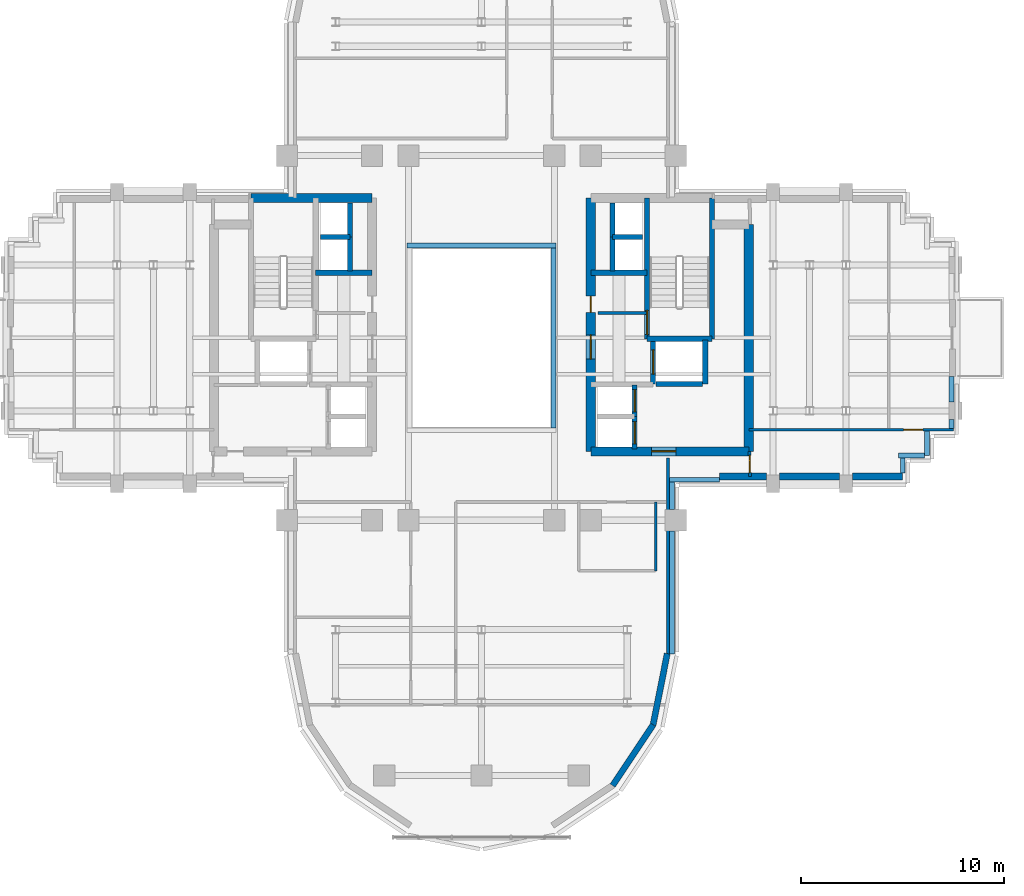
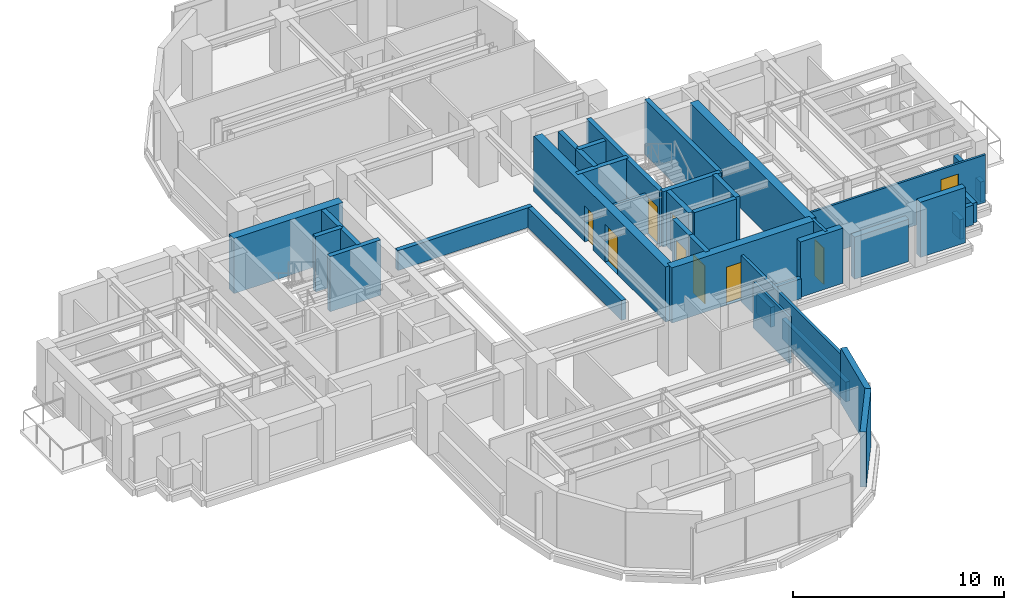
# One storey, part 8 of 13: 40 walls, 9 doors, 9 openings.
"""IFC4 building model written with IfcOpenShell, lengths in metres."""

from ifc_helpers import new_model, si_unit, direction, frame, frame_2d, origin, place, context, subcontext, project, spatial, rectangle, extrude, source, transform, mapped, material, layer, layer_set, type_object, element, fill, save


model = new_model("IFC4")

# Units and contexts
model_context = context("Model", 3, precision=1e-05, world=origin(), true_north=direction((0.0, 1.0)))
body_context = subcontext(model_context, "Body", "Model", "MODEL_VIEW")
ifc_project = project(units=[si_unit("LENGTHUNIT", "METRE"), si_unit("AREAUNIT", "SQUARE_METRE"), si_unit("VOLUMEUNIT", "CUBIC_METRE"), si_unit("PLANEANGLEUNIT", "RADIAN"), si_unit("MASSUNIT", "GRAM", prefix="KILO")], contexts=[model_context])

# Site, building, storey
site_placement = place(None, origin())
site = spatial("IfcSite", under=ifc_project, at=site_placement, CompositionType="ELEMENT")
building_placement = place(site_placement, origin())
building = spatial("IfcBuilding", under=site, at=building_placement, Name="Keilestroom Media Tower", CompositionType="ELEMENT")
storey_placement = place(building_placement, frame((0.0, 0.0, 107.39990234375)))
storey = spatial("IfcBuildingStorey", under=building, at=storey_placement, Name="L28", CompositionType="ELEMENT", Elevation=107.39990234375)

# Walls
ifc_material_1 = material(Name="Precast concrete C40/50", Category="concrete")
ifc_layer_1 = layer(ifc_material_1, 0.300048828125)
ifc_layer_set_1 = layer_set([ifc_layer_1], Name="Precast concrete C40/50")
wall_type_1 = type_object("IfcWallType", Name="Exterior-Masonry-Spandrel-Wall-300", PredefinedType="SOLIDWALL", material=ifc_layer_set_1)
for number, where, z_axis, x_axis, name in (
    (1, (6.47705078125, -22.097900390625, 0.0), (0.0, 0.0, 1.0), (0.555574187116, 0.831466970246, 0.0), "L28 Lobe Facet Precast Frame Wall 11"),
    (2, (8.470703125, -19.12451171875, 0.0), (0.0, 0.0, 1.0), (0.195114232679, 0.980780523974, 0.0), "L28 Lobe Facet Precast Frame Wall 12"),
):
    element("IfcWall", number, at=place(storey_placement, frame(where, z_axis=z_axis, x_axis=x_axis)), inside=storey, type_object=wall_type_1, Name=name, PredefinedType="SOLIDWALL", context=body_context, shape_type="SweptSolid", body=[
        extrude(rectangle(XDim=3.608642578125, YDim=0.300048828125, at=frame_2d((1.80419921875, 0.0))), origin(), (0.0, 0.0, 1.0), 3.2001953125),
    ])
ifc_layer_2 = layer(ifc_material_1, 0.340087890625)
ifc_layer_set_2 = layer_set([ifc_layer_2], Name="Precast concrete C40/50")
wall_type_2 = type_object("IfcWallType", Name="Exterior-Masonry-Spandrel-Wall-340", PredefinedType="SOLIDWALL", material=ifc_layer_set_2)
wall_1_placement = place(storey_placement, frame((11.75, -6.85009765625, 0.0), z_axis=(0.0, 0.0, 1.0), x_axis=(1.0, 0.0, 0.0)))
element("IfcWall", 3, at=wall_1_placement, inside=storey, type_object=wall_type_2, Name="L28 Flank Masonry Wall EWL-L28-SE-1", PredefinedType="SOLIDWALL", context=body_context, shape_type="SweptSolid", body=[
    extrude(rectangle(XDim=2.3330078125, YDim=0.340087890625, at=frame_2d((1.16650390625, 0.0))), origin(), (0.0, 0.0, 1.0), 3.2001953125),
])
wall_2_placement = place(storey_placement, frame((14.717041015625, -6.85009765625, 0.0), z_axis=(0.0, 0.0, 1.0), x_axis=(1.0, 0.0, 0.0)))
element("IfcWall", 4, at=wall_2_placement, inside=storey, type_object=wall_type_2, Name="L28 Flank Masonry Wall EWL-L28-SE-2", PredefinedType="SOLIDWALL", context=body_context, shape_type="SweptSolid", body=[
    extrude(rectangle(XDim=2.966064453125, YDim=0.340087890625, at=frame_2d((1.48291015625, 0.0))), origin(), (0.0, 0.0, 1.0), 2.4501953125),
])
wall_3_placement = place(storey_placement, frame((18.31689453125, -6.85009765625, 0.0), z_axis=(0.0, 0.0, 1.0), x_axis=(1.0, 0.0, 0.0)))
element("IfcWall", 5, at=wall_3_placement, inside=storey, type_object=wall_type_2, Name="L28 Flank Masonry Wall EWL-L28-SE-3", PredefinedType="SOLIDWALL", context=body_context, shape_type="SweptSolid", body=[
    extrude(rectangle(XDim=2.483154296875, YDim=0.340087890625, at=frame_2d((1.24169921875, 0.0))), origin(), (0.0, 0.0, 1.0), 3.2001953125),
])
ifc_material_2 = material(Name="Gypsum Plasterboard & Steel Stud", Category="steel")
ifc_layer_3 = layer(ifc_material_2, 0.1201171875)
ifc_layer_set_3 = layer_set([ifc_layer_3], Name="Gypsum Plasterboard & Steel Stud")
wall_type_3 = type_object("IfcWallType", Name="Interior-Partition-Wall-120", PredefinedType="PARTITIONING", material=ifc_layer_set_3)
wall_4_placement = place(storey_placement, frame((8.60009765625, -11.5, 0.0), z_axis=(0.0, 0.0, 1.0), x_axis=(0.0, 1.0, 0.0)))
element("IfcWall", 6, at=wall_4_placement, inside=storey, type_object=wall_type_3, Name="L28 Interior Wall WP-L28-SL-WC-E", PredefinedType="PARTITIONING", context=body_context, shape_type="SweptSolid", body=[
    extrude(rectangle(XDim=3.39990234375, YDim=0.1201171875, at=frame_2d((1.699951171875, 0.0))), origin(), (0.0, 0.0, 1.0), 2.7001953125),
])

# Wall, opening, door
wall_5_placement = place(storey_placement, frame((13.199951171875, -4.530029296875, 0.0), z_axis=(0.0, 0.0, 1.0), x_axis=(1.0, 0.0, 0.0)))
wall_5 = element("IfcWall", 7, at=wall_5_placement, inside=storey, type_object=wall_type_3, Name="L28 Interior Wall WP-L28-EA-CN", PredefinedType="PARTITIONING", context=body_context, shape_type="SweptSolid", body=[
    extrude(rectangle(XDim=10.10009765625, YDim=0.1201171875, at=frame_2d((5.050048828125, 0.0))), origin(), (0.0, 0.0, 1.0), 2.75),
])
opening_1_placement = place(wall_5_placement, frame((7.64990234375, 0.0, 0.0)))
opening_1 = element("IfcOpeningElement", 8, at=opening_1_placement, cuts=wall_5, Name="Opening DI-03", PredefinedType="OPENING", context=body_context, shape_type="SweptSolid", body=[
    extrude(rectangle(XDim=0.949951171875, YDim=2.14990234375, at=frame_2d((0.47509765625, 1.074951171875))), frame((0.0, 0.070068359375, 0.0), z_axis=(0.0, -1.0, 0.0), x_axis=(1.0, 0.0, 0.0)), (0.0, 0.0, 1.0), 0.14013671875),
])
ifc_material_3 = material(Name="Lacquered European Oak Leaf", Category="wood")
door_type_1 = type_object("IfcDoorType", Name="Interior-Room-And-Suite-Door-DI-03", OperationType="NOTDEFINED", PredefinedType="DOOR", material=ifc_material_3)
shared_shape_1 = source(origin(), body_context, "Body", "SweptSolid", [
    extrude(rectangle(XDim=0.949951171875, YDim=2.14990234375, at=frame_2d((0.47509765625, 1.074951171875))), frame((0.0, 0.02490234375, 0.0), z_axis=(0.0, -1.0, 0.0), x_axis=(1.0, 0.0, 0.0)), (0.0, 0.0, 1.0), 0.050048828125),
])
door_1_placement = place(opening_1_placement, origin())
door_1 = element("IfcDoor", 9, at=door_1_placement, inside=storey, type_object=door_type_1, Name="L28 Interior Door DI-L28-DEA-RN2", OperationType="SINGLE_SWING_LEFT", OverallHeight=2.14990234375, OverallWidth=0.949951171875, PredefinedType="DOOR", context=body_context, shape_type="MappedRepresentation", body=[
    mapped(shared_shape_1, transform((0.0, 0.0, 0.0), x_axis=(1.0, 0.0, 0.0), y_axis=(0.0, 1.0, 0.0), z_axis=(0.0, 0.0, 1.0), scale=1.0)),
])
fill(opening_1, door_1)

# Walls
ifc_layer_4 = layer(ifc_material_2, 0.14990234375)
ifc_layer_set_4 = layer_set([ifc_layer_4], Name="Gypsum Plasterboard & Steel Stud")
wall_type_4 = type_object("IfcWallType", Name="Interior-Partition-Wall-150", PredefinedType="PARTITIONING", material=ifc_layer_set_4)
wall_6_placement = place(storey_placement, frame((5.75, 1.239990234375, 0.0), z_axis=(0.0, 0.0, 1.0), x_axis=(1.0, 0.0, 0.0)))
element("IfcWall", 10, at=wall_6_placement, inside=storey, type_object=wall_type_4, Name="L28 Interior Wall WP-L28-FFE-TOP", PredefinedType="PARTITIONING", context=body_context, shape_type="SweptSolid", body=[
    extrude(rectangle(XDim=2.389892578125, YDim=0.14990234375, at=frame_2d((1.19482421875, 0.0))), origin(), (0.0, 0.0, 1.0), 2.300048828125),
])
wall_7_placement = place(storey_placement, frame((9.199951171875, -15.679931640625, 0.0), z_axis=(0.0, 0.0, 1.0), x_axis=(0.0, 1.0, 0.0)))
element("IfcWall", 11, at=wall_7_placement, inside=storey, type_object=wall_type_4, Name="L28 Interior Wall WP-L28-SL-CHKE", PredefinedType="PARTITIONING", context=body_context, shape_type="SweptSolid", body=[
    extrude(rectangle(XDim=9.739990234375, YDim=0.14990234375, at=frame_2d((4.8701171875, 0.0))), origin(), (0.0, 0.0, 1.0), 2.7001953125),
])

# Wall, opening, door
wall_8_placement = place(storey_placement, frame((13.260009765625, -6.85009765625, 0.0), z_axis=(0.0, 0.0, 1.0), x_axis=(-0.016013571389, 0.999871774545, 0.0)))
wall_8 = element("IfcWall", 12, at=wall_8_placement, inside=storey, type_object=wall_type_4, Name="L28 Interior Wall WP-L28-EA-ENTS", PredefinedType="PARTITIONING", context=body_context, shape_type="SweptSolid", body=[
    extrude(rectangle(XDim=1.250244140625, YDim=0.14990234375, at=frame_2d((0.625, 0.0))), origin(), (0.0, 0.0, 1.0), 3.2001953125),
])
opening_2_placement = place(wall_8_placement, frame((0.199951171875, 0.0, 0.0)))
opening_2 = element("IfcOpeningElement", 13, at=opening_2_placement, cuts=wall_8, Name="Opening DI-05", PredefinedType="OPENING", context=body_context, shape_type="SweptSolid", body=[
    extrude(rectangle(XDim=0.85009765625, YDim=2.10009765625, at=frame_2d((0.425048828125, 1.050048828125))), frame((0.0, 0.0849609375, 0.0), z_axis=(0.0, -1.0, 0.0), x_axis=(1.0, 0.0, 0.0)), (0.0, 0.0, 1.0), 0.169921875),
])
ifc_material_4 = material(Name="Moisture-Resistant Oak Leaf", Category="wood")
door_type_2 = type_object("IfcDoorType", Name="Interior-En-Suite-And-Cupboard-Door-DI-05", OperationType="NOTDEFINED", PredefinedType="DOOR", material=ifc_material_4)
shared_shape_2 = source(origin(), body_context, "Body", "SweptSolid", [
    extrude(rectangle(XDim=0.85009765625, YDim=2.10009765625, at=frame_2d((0.425048828125, 1.050048828125))), frame((0.0, 0.02490234375, 0.0), z_axis=(0.0, -1.0, 0.0), x_axis=(1.0, 0.0, 0.0)), (0.0, 0.0, 1.0), 0.050048828125),
])
door_2_placement = place(opening_2_placement, origin())
door_2 = element("IfcDoor", 14, at=door_2_placement, inside=storey, type_object=door_type_2, Name="L28 Interior Door DI-L28-DEA-ENTS", OperationType="SINGLE_SWING_RIGHT", OverallHeight=2.10009765625, OverallWidth=0.85009765625, PredefinedType="DOOR", context=body_context, shape_type="MappedRepresentation", body=[
    mapped(shared_shape_2, transform((0.0, 0.0, 0.0), x_axis=(1.0, 0.0, 0.0), y_axis=(0.0, 1.0, 0.0), z_axis=(0.0, 0.0, 1.0), scale=1.0)),
])
fill(opening_2, door_2)

# Walls
ifc_material_5 = material(Name="Concrete C55/67", Category="concrete")
ifc_layer_5 = layer(ifc_material_5, 0.449951171875)
ifc_layer_set_5 = layer_set([ifc_layer_5], Name="Concrete C55/67")
wall_type_5 = type_object("IfcWallType", Name="Reinforced-Concrete-Core-Shear-Wall-450", PredefinedType="SHEAR", material=ifc_layer_set_5)
wall_9_placement = place(storey_placement, frame((-11.381103515625, 6.89990234375, 0.0), z_axis=(0.0, 0.0, 1.0), x_axis=(1.0, 0.0, 0.0)))
element("IfcWall", 15, at=wall_9_placement, inside=storey, type_object=wall_type_5, Name="L28 Core Shear Wall WL-L28-CORE-W-N", PredefinedType="SHEAR", context=body_context, shape_type="SweptSolid", body=[
    extrude(rectangle(XDim=5.981201171875, YDim=0.449951171875, at=frame_2d((2.99072265625, 0.0))), origin(), (0.0, 0.0, 1.0), 3.2001953125),
])
wall_10_placement = place(storey_placement, frame((13.199951171875, -5.60009765625, 0.0), z_axis=(0.0, 0.0, 1.0), x_axis=(0.0, 1.0, 0.0)))
element("IfcWall", 16, at=wall_10_placement, inside=storey, type_object=wall_type_5, Name="L28 Core Shear Wall WL-L28-CORE-E-OUT", PredefinedType="SHEAR", context=body_context, shape_type="SweptSolid", body=[
    extrude(rectangle(XDim=11.2001953125, YDim=0.449951171875, at=frame_2d((5.60009765625, 0.0))), origin(), (0.0, 0.0, 1.0), 3.2001953125),
])

# Wall, openings, doors
wall_11_placement = place(storey_placement, frame((5.39990234375, -5.60009765625, 0.0), z_axis=(0.0, 0.0, 1.0), x_axis=(0.0, 1.0, 0.0)))
wall_11 = element("IfcWall", 17, at=wall_11_placement, inside=storey, type_object=wall_type_5, Name="L28 Core Shear Wall WL-L28-CORE-E-IN", PredefinedType="SHEAR", context=body_context, shape_type="SweptSolid", body=[
    extrude(rectangle(XDim=12.5, YDim=0.449951171875, at=frame_2d((6.25, 0.0))), origin(), (0.0, 0.0, 1.0), 3.2001953125),
])
opening_3_placement = place(wall_11_placement, frame((4.550048828125, 0.0, 0.0)))
opening_3 = element("IfcOpeningElement", 18, at=opening_3_placement, cuts=wall_11, Name="Opening DI-02", PredefinedType="OPENING", context=body_context, shape_type="SweptSolid", body=[
    extrude(rectangle(XDim=1.199951171875, YDim=2.199951171875, at=frame_2d((0.60009765625, 1.10009765625))), frame((0.0, 0.23486328125, 0.0), z_axis=(0.0, -1.0, 0.0), x_axis=(1.0, 0.0, 0.0)), (0.0, 0.0, 1.0), 0.469970703125),
])
opening_4_placement = place(wall_11_placement, frame((6.860107421875, 0.0, 0.0)))
opening_4 = element("IfcOpeningElement", 19, at=opening_4_placement, cuts=wall_11, Name="Opening DI-06", PredefinedType="OPENING", context=body_context, shape_type="SweptSolid", body=[
    extrude(rectangle(XDim=0.800048828125, YDim=2.10009765625, at=frame_2d((0.39990234375, 1.050048828125))), frame((0.0, 0.23486328125, 0.0), z_axis=(0.0, -1.0, 0.0), x_axis=(1.0, 0.0, 0.0)), (0.0, 0.0, 1.0), 0.469970703125),
])
ifc_material_6 = material(Name="Powder-Coated Steel Fire Leaf", Category="steel")
door_type_3 = type_object("IfcDoorType", Name="Interior-Compartment-Fire-Door-DI-02", OperationType="NOTDEFINED", PredefinedType="DOOR", material=ifc_material_6)
shared_shape_3 = source(origin(), body_context, "Body", "SweptSolid", [
    extrude(rectangle(XDim=1.199951171875, YDim=2.199951171875, at=frame_2d((0.60009765625, 1.10009765625))), frame((0.0, 0.02490234375, 0.0), z_axis=(0.0, -1.0, 0.0), x_axis=(1.0, 0.0, 0.0)), (0.0, 0.0, 1.0), 0.050048828125),
])
door_3_placement = place(opening_3_placement, origin())
door_3 = element("IfcDoor", 20, at=door_3_placement, inside=storey, type_object=door_type_3, Name="L28 E Firefighting Lobby Door", OperationType="SINGLE_SWING_LEFT", OverallHeight=2.199951171875, OverallWidth=1.199951171875, PredefinedType="DOOR", context=body_context, shape_type="MappedRepresentation", body=[
    mapped(shared_shape_3, transform((0.0, 0.0, 0.0), x_axis=(1.0, 0.0, 0.0), y_axis=(0.0, 1.0, 0.0), z_axis=(0.0, 0.0, 1.0), scale=1.0)),
])
fill(opening_3, door_3)
ifc_material_7 = material(Name="Powder-Coated Steel Service Leaf", Category="steel")
door_type_4 = type_object("IfcDoorType", Name="Interior-Riser-Access-Door-DI-06", OperationType="NOTDEFINED", PredefinedType="DOOR", material=ifc_material_7)
shared_shape_4 = source(origin(), body_context, "Body", "SweptSolid", [
    extrude(rectangle(XDim=0.800048828125, YDim=2.10009765625, at=frame_2d((0.39990234375, 1.050048828125))), frame((0.0, 0.02490234375, 0.0), z_axis=(0.0, -1.0, 0.0), x_axis=(1.0, 0.0, 0.0)), (0.0, 0.0, 1.0), 0.050048828125),
])
door_4_placement = place(opening_4_placement, origin())
door_4 = element("IfcDoor", 21, at=door_4_placement, inside=storey, type_object=door_type_4, Name="L28 East Core Telecom Door", OperationType="SINGLE_SWING_RIGHT", OverallHeight=2.10009765625, OverallWidth=0.800048828125, PredefinedType="DOOR", context=body_context, shape_type="MappedRepresentation", body=[
    mapped(shared_shape_4, transform((0.0, 0.0, 0.0), x_axis=(1.0, 0.0, 0.0), y_axis=(0.0, 1.0, 0.0), z_axis=(0.0, 0.0, 1.0), scale=1.0)),
])
fill(opening_4, door_4)

# Wall, opening, door
wall_12_placement = place(storey_placement, frame((5.39990234375, -5.60009765625, 0.0), z_axis=(0.0, 0.0, 1.0), x_axis=(1.0, 0.0, 0.0)))
wall_12 = element("IfcWall", 22, at=wall_12_placement, inside=storey, type_object=wall_type_5, Name="L28 Core Shear Wall WL-L28-CORE-E-S", PredefinedType="SHEAR", context=body_context, shape_type="SweptSolid", body=[
    extrude(rectangle(XDim=7.800048828125, YDim=0.449951171875, at=frame_2d((3.89990234375, 0.0))), origin(), (0.0, 0.0, 1.0), 3.2001953125),
])
opening_5_placement = place(wall_12_placement, frame((3.0, 0.0, 0.0)))
opening_5 = element("IfcOpeningElement", 23, at=opening_5_placement, cuts=wall_12, Name="Opening DI-02", PredefinedType="OPENING", context=body_context, shape_type="SweptSolid", body=[
    extrude(rectangle(XDim=1.199951171875, YDim=2.199951171875, at=frame_2d((0.60009765625, 1.10009765625))), frame((0.0, 0.23486328125, 0.0), z_axis=(0.0, -1.0, 0.0), x_axis=(1.0, 0.0, 0.0)), (0.0, 0.0, 1.0), 0.469970703125),
])
door_5_placement = place(opening_5_placement, origin())
door_5 = element("IfcDoor", 24, at=door_5_placement, inside=storey, type_object=door_type_3, Name="L28 E Passenger Lift Lobby Door", OperationType="SINGLE_SWING_RIGHT", OverallHeight=2.199951171875, OverallWidth=1.199951171875, PredefinedType="DOOR", context=body_context, shape_type="MappedRepresentation", body=[
    mapped(shared_shape_3, transform((0.0, 0.0, 0.0), x_axis=(1.0, 0.0, 0.0), y_axis=(0.0, 1.0, 0.0), z_axis=(0.0, 0.0, 1.0), scale=1.0)),
])
fill(opening_5, door_5)

# Walls
ifc_material_8 = material(Name="Concrete C50/60", Category="concrete")
ifc_layer_6 = layer(ifc_material_8, 0.25)
ifc_layer_set_6 = layer_set([ifc_layer_6], Name="Concrete C50/60")
wall_type_6 = type_object("IfcWallType", Name="Reinforced-Concrete-Shaft-Wall-250", PredefinedType="SOLIDWALL", material=ifc_layer_set_6)
for number, where, z_axis, x_axis, name in (
    (25, (-8.179931640625, 3.219970703125, 0.0), (0.0, 0.0, 1.0), (1.0, 0.0, 0.0), "L28 Core Shear Wall WL-L28-CORE-W-FFN"),
    (26, (5.39990234375, 3.219970703125, 0.0), (0.0, 0.0, 1.0), (1.0, 0.0, 0.0), "L28 Core Shear Wall WL-L28-CORE-E-FFN"),
):
    element("IfcWall", number, at=place(storey_placement, frame(where, z_axis=z_axis, x_axis=x_axis)), inside=storey, type_object=wall_type_6, Name=name, PredefinedType="SOLIDWALL", context=body_context, shape_type="SweptSolid", body=[
        extrude(rectangle(XDim=2.780029296875, YDim=0.25, at=frame_2d((1.39013671875, 0.0))), origin(), (0.0, 0.0, 1.0), 3.2001953125),
    ])

# Wall, opening, door
wall_13_placement = place(storey_placement, frame((8.178955078125, -0.041015625, 0.0), z_axis=(0.0, 0.0, 1.0), x_axis=(0.0, 1.0, 0.0)))
wall_13 = element("IfcWall", 27, at=wall_13_placement, inside=storey, type_object=wall_type_6, Name="L28 Core Shear Wall WL-L28-STW-E-NEAR", PredefinedType="SOLIDWALL", context=body_context, shape_type="SweptSolid", body=[
    extrude(rectangle(XDim=6.94091796875, YDim=0.25, at=frame_2d((3.470458984375, 0.0))), origin(), (0.0, 0.0, 1.0), 3.2001953125),
])
opening_6_placement = place(wall_13_placement, frame((0.199951171875, 0.0, 0.0)))
opening_6 = element("IfcOpeningElement", 28, at=opening_6_placement, cuts=wall_13, Name="Opening DI-01S", PredefinedType="OPENING", context=body_context, shape_type="SweptSolid", body=[
    extrude(rectangle(XDim=1.199951171875, YDim=2.199951171875, at=frame_2d((0.60009765625, 1.10009765625))), frame((0.0, 0.135009765625, 0.0), z_axis=(0.0, -1.0, 0.0), x_axis=(1.0, 0.0, 0.0)), (0.0, 0.0, 1.0), 0.27001953125),
])
door_type_5 = type_object("IfcDoorType", Name="Interior-Stair-And-Core-Fire-Door-DI-01", OperationType="NOTDEFINED", PredefinedType="DOOR", material=ifc_material_6)
door_6_placement = place(opening_6_placement, origin())
door_6 = element("IfcDoor", 29, at=door_6_placement, inside=storey, type_object=door_type_5, Name="L28 Escape Stair ST-2 Fire Door", OperationType="SINGLE_SWING_RIGHT", OverallHeight=2.199951171875, OverallWidth=1.199951171875, PredefinedType="DOOR", context=body_context, shape_type="MappedRepresentation", body=[
    mapped(shared_shape_3, transform((0.0, 0.0, 0.0), x_axis=(1.0, 0.0, 0.0), y_axis=(0.0, 1.0, 0.0), z_axis=(0.0, 0.0, 1.0), scale=1.0)),
])
fill(opening_6, door_6)

# Walls
wall_14_placement = place(storey_placement, frame((11.381103515625, -0.041015625, 0.0), z_axis=(0.0, 0.0, 1.0), x_axis=(0.0, 1.0, 0.0)))
element("IfcWall", 30, at=wall_14_placement, inside=storey, type_object=wall_type_6, Name="L28 Core Shear Wall WL-L28-STW-E-FAR", PredefinedType="SOLIDWALL", context=body_context, shape_type="SweptSolid", body=[
    extrude(rectangle(XDim=6.94091796875, YDim=0.25, at=frame_2d((3.470458984375, 0.0))), origin(), (0.0, 0.0, 1.0), 3.2001953125),
])
wall_15_placement = place(storey_placement, frame((8.178955078125, -0.041015625, 0.0), z_axis=(0.0, 0.0, 1.0), x_axis=(1.0, 0.0, 0.0)))
element("IfcWall", 31, at=wall_15_placement, inside=storey, type_object=wall_type_6, Name="L28 Core Shear Wall WL-L28-STW-E-S", PredefinedType="SOLIDWALL", context=body_context, shape_type="SweptSolid", body=[
    extrude(rectangle(XDim=3.2021484375, YDim=0.25, at=frame_2d((1.60107421875, 0.0))), origin(), (0.0, 0.0, 1.0), 3.2001953125),
])

# Wall, opening, door
wall_16_placement = place(storey_placement, frame((8.47998046875, -2.280029296875, 0.0), z_axis=(0.0, 0.0, 1.0), x_axis=(0.0, 1.0, 0.0)))
wall_16 = element("IfcWall", 32, at=wall_16_placement, inside=storey, type_object=wall_type_6, Name="L28 Core Shear Wall WL-L28-LSH-FFL-2-W", PredefinedType="SOLIDWALL", context=body_context, shape_type="SweptSolid", body=[
    extrude(rectangle(XDim=2.179931640625, YDim=0.25, at=frame_2d((1.08984375, 0.0))), origin(), (0.0, 0.0, 1.0), 3.2001953125),
])
opening_7_placement = place(wall_16_placement, frame((0.489990234375, 0.0, 0.0)))
opening_7 = element("IfcOpeningElement", 33, at=opening_7_placement, cuts=wall_16, Name="Opening LD-02", PredefinedType="OPENING", context=body_context, shape_type="SweptSolid", body=[
    extrude(rectangle(XDim=1.199951171875, YDim=2.199951171875, at=frame_2d((0.60009765625, 1.10009765625))), frame((0.0, 0.135009765625, 0.0), z_axis=(0.0, -1.0, 0.0), x_axis=(1.0, 0.0, 0.0)), (0.0, 0.0, 1.0), 0.27001953125),
])
ifc_material_9 = material(Name="Brushed Stainless Steel Sliding Leaf", Category="steel")
door_type_6 = type_object("IfcDoorType", Name="Lift-Landing-Sliding-Door-LD-02", OperationType="SLIDING_TO_RIGHT", PredefinedType="DOOR", material=ifc_material_9)
door_7_placement = place(opening_7_placement, origin())
door_7 = element("IfcDoor", 34, at=door_7_placement, inside=storey, type_object=door_type_6, Name="L28 Lift FFL-2 Landing Sliding Door", OperationType="SLIDING_TO_RIGHT", OverallHeight=2.199951171875, OverallWidth=1.199951171875, PredefinedType="DOOR", context=body_context, shape_type="MappedRepresentation", body=[
    mapped(shared_shape_3, transform((0.0, 0.0, 0.0), x_axis=(1.0, 0.0, 0.0), y_axis=(0.0, 1.0, 0.0), z_axis=(0.0, 0.0, 1.0), scale=1.0)),
])
fill(opening_7, door_7)

# Walls
wall_17_placement = place(storey_placement, frame((11.050048828125, -2.280029296875, 0.0), z_axis=(0.0, 0.0, 1.0), x_axis=(0.0, 1.0, 0.0)))
element("IfcWall", 35, at=wall_17_placement, inside=storey, type_object=wall_type_6, Name="L28 Core Shear Wall WL-L28-LSH-FFL-2-E", PredefinedType="SOLIDWALL", context=body_context, shape_type="SweptSolid", body=[
    extrude(rectangle(XDim=2.179931640625, YDim=0.25, at=frame_2d((1.08984375, 0.0))), origin(), (0.0, 0.0, 1.0), 3.2001953125),
])
wall_18_placement = place(storey_placement, frame((8.60888671875, -2.280029296875, 0.0), z_axis=(0.0, 0.0, 1.0), x_axis=(1.0, 0.0, 0.0)))
element("IfcWall", 36, at=wall_18_placement, inside=storey, type_object=wall_type_6, Name="L28 Core Shear Wall WL-L28-LSH-FFL-2-S", PredefinedType="SOLIDWALL", context=body_context, shape_type="SweptSolid", body=[
    extrude(rectangle(XDim=2.31201171875, YDim=0.25, at=frame_2d((1.156005859375, 0.0))), origin(), (0.0, 0.0, 1.0), 3.2001953125),
])

# Wall, opening, door
wall_19_placement = place(storey_placement, frame((7.56005859375, -5.47998046875, 0.0), z_axis=(0.0, 0.0, 1.0), x_axis=(0.0, 1.0, 0.0)))
wall_19 = element("IfcWall", 37, at=wall_19_placement, inside=storey, type_object=wall_type_6, Name="L28 Core Shear Wall WL-L28-LSH-PL-M3-E", PredefinedType="SOLIDWALL", context=body_context, shape_type="SweptSolid", body=[
    extrude(rectangle(XDim=1.60009765625, YDim=0.25, at=frame_2d((0.800048828125, 0.0))), origin(), (0.0, 0.0, 1.0), 3.2001953125),
])
opening_8_placement = place(wall_19_placement, frame((0.25, 0.0, 0.0)))
opening_8 = element("IfcOpeningElement", 38, at=opening_8_placement, cuts=wall_19, Name="Opening LD-01", PredefinedType="OPENING", context=body_context, shape_type="SweptSolid", body=[
    extrude(rectangle(XDim=1.10009765625, YDim=2.199951171875, at=frame_2d((0.550048828125, 1.10009765625))), frame((0.0, 0.135009765625, 0.0), z_axis=(0.0, -1.0, 0.0), x_axis=(1.0, 0.0, 0.0)), (0.0, 0.0, 1.0), 0.27001953125),
])
door_type_7 = type_object("IfcDoorType", Name="Lift-Landing-Sliding-Door-LD-01", OperationType="SLIDING_TO_LEFT", PredefinedType="DOOR", material=ifc_material_9)
shared_shape_5 = source(origin(), body_context, "Body", "SweptSolid", [
    extrude(rectangle(XDim=1.10009765625, YDim=2.199951171875, at=frame_2d((0.550048828125, 1.10009765625))), frame((0.0, 0.02490234375, 0.0), z_axis=(0.0, -1.0, 0.0), x_axis=(1.0, 0.0, 0.0)), (0.0, 0.0, 1.0), 0.050048828125),
])
door_8_placement = place(opening_8_placement, origin())
door_8 = element("IfcDoor", 39, at=door_8_placement, inside=storey, type_object=door_type_7, Name="L28 Lift PL-M3 Landing Sliding Door", OperationType="SLIDING_TO_LEFT", OverallHeight=2.199951171875, OverallWidth=1.10009765625, PredefinedType="DOOR", context=body_context, shape_type="MappedRepresentation", body=[
    mapped(shared_shape_5, transform((0.0, 0.0, 0.0), x_axis=(1.0, 0.0, 0.0), y_axis=(0.0, 1.0, 0.0), z_axis=(0.0, 0.0, 1.0), scale=1.0)),
])
fill(opening_8, door_8)

wall_20_placement = place(storey_placement, frame((7.56005859375, -3.8798828125, 0.0), z_axis=(0.0, 0.0, 1.0), x_axis=(0.0, 1.0, 0.0)))
wall_20 = element("IfcWall", 40, at=wall_20_placement, inside=storey, type_object=wall_type_6, Name="L28 Core Shear Wall WL-L28-LSH-PL-M4-E", PredefinedType="SOLIDWALL", context=body_context, shape_type="SweptSolid", body=[
    extrude(rectangle(XDim=1.559814453125, YDim=0.25, at=frame_2d((0.77978515625, 0.0))), origin(), (0.0, 0.0, 1.0), 3.2001953125),
])
opening_9_placement = place(wall_20_placement, frame((0.22998046875, 0.0, 0.0)))
opening_9 = element("IfcOpeningElement", 41, at=opening_9_placement, cuts=wall_20, Name="Opening LD-01", PredefinedType="OPENING", context=body_context, shape_type="SweptSolid", body=[
    extrude(rectangle(XDim=1.10009765625, YDim=2.199951171875, at=frame_2d((0.550048828125, 1.10009765625))), frame((0.0, 0.135009765625, 0.0), z_axis=(0.0, -1.0, 0.0), x_axis=(1.0, 0.0, 0.0)), (0.0, 0.0, 1.0), 0.27001953125),
])
door_9_placement = place(opening_9_placement, origin())
door_9 = element("IfcDoor", 42, at=door_9_placement, inside=storey, type_object=door_type_7, Name="L28 Lift PL-M4 Landing Sliding Door", OperationType="SLIDING_TO_LEFT", OverallHeight=2.199951171875, OverallWidth=1.10009765625, PredefinedType="DOOR", context=body_context, shape_type="MappedRepresentation", body=[
    mapped(shared_shape_5, transform((0.0, 0.0, 0.0), x_axis=(1.0, 0.0, 0.0), y_axis=(0.0, 1.0, 0.0), z_axis=(0.0, 0.0, 1.0), scale=1.0)),
])
fill(opening_9, door_9)

# Walls
wall_21_placement = place(storey_placement, frame((-6.47998046875, 3.300048828125, 0.0), z_axis=(0.0, 0.0, 1.0), x_axis=(0.0, 1.0, 0.0)))
element("IfcWall", 43, at=wall_21_placement, inside=storey, type_object=wall_type_6, Name="L28 Core Shear Wall WL-L28-LSH-PL-H1-E", PredefinedType="SOLIDWALL", context=body_context, shape_type="SweptSolid", body=[
    extrude(rectangle(XDim=1.679931640625, YDim=0.25, at=frame_2d((0.83984375, 0.0))), origin(), (0.0, 0.0, 1.0), 3.2001953125),
])
wall_22_placement = place(storey_placement, frame((-7.949951171875, 4.97998046875, 0.0), z_axis=(0.0, 0.0, 1.0), x_axis=(1.0, 0.0, 0.0)))
element("IfcWall", 44, at=wall_22_placement, inside=storey, type_object=wall_type_6, Name="L28 Core Shear Wall WL-L28-LSH-PL-H1-N", PredefinedType="SOLIDWALL", context=body_context, shape_type="SweptSolid", body=[
    extrude(rectangle(XDim=1.469970703125, YDim=0.25, at=frame_2d((0.73486328125, 0.0))), origin(), (0.0, 0.0, 1.0), 3.2001953125),
])
wall_23_placement = place(storey_placement, frame((-6.47998046875, 4.97998046875, 0.0), z_axis=(0.0, 0.0, 1.0), x_axis=(0.0, 1.0, 0.0)))
element("IfcWall", 45, at=wall_23_placement, inside=storey, type_object=wall_type_6, Name="L28 Core Shear Wall WL-L28-LSH-PL-H2-E", PredefinedType="SOLIDWALL", context=body_context, shape_type="SweptSolid", body=[
    extrude(rectangle(XDim=1.669921875, YDim=0.25, at=frame_2d((0.8349609375, 0.0))), origin(), (0.0, 0.0, 1.0), 3.2001953125),
])
wall_24_placement = place(storey_placement, frame((6.47998046875, 3.300048828125, 0.0), z_axis=(0.0, 0.0, 1.0), x_axis=(0.0, 1.0, 0.0)))
element("IfcWall", 46, at=wall_24_placement, inside=storey, type_object=wall_type_6, Name="L28 Core Shear Wall WL-L28-LSH-PL-H3-W", PredefinedType="SOLIDWALL", context=body_context, shape_type="SweptSolid", body=[
    extrude(rectangle(XDim=1.679931640625, YDim=0.25, at=frame_2d((0.83984375, 0.0))), origin(), (0.0, 0.0, 1.0), 3.2001953125),
])
wall_25_placement = place(storey_placement, frame((6.47998046875, 4.97998046875, 0.0), z_axis=(0.0, 0.0, 1.0), x_axis=(1.0, 0.0, 0.0)))
element("IfcWall", 47, at=wall_25_placement, inside=storey, type_object=wall_type_6, Name="L28 Core Shear Wall WL-L28-LSH-PL-H3-N", PredefinedType="SOLIDWALL", context=body_context, shape_type="SweptSolid", body=[
    extrude(rectangle(XDim=1.469970703125, YDim=0.25, at=frame_2d((0.73486328125, 0.0))), origin(), (0.0, 0.0, 1.0), 3.2001953125),
])
wall_26_placement = place(storey_placement, frame((6.47998046875, 4.97998046875, 0.0), z_axis=(0.0, 0.0, 1.0), x_axis=(0.0, 1.0, 0.0)))
element("IfcWall", 48, at=wall_26_placement, inside=storey, type_object=wall_type_6, Name="L28 Core Shear Wall WL-L28-LSH-PL-H4-W", PredefinedType="SOLIDWALL", context=body_context, shape_type="SweptSolid", body=[
    extrude(rectangle(XDim=1.669921875, YDim=0.25, at=frame_2d((0.8349609375, 0.0))), origin(), (0.0, 0.0, 1.0), 3.2001953125),
])
ifc_layer_7 = layer(ifc_material_1, 0.239990234375)
ifc_layer_set_7 = layer_set([ifc_layer_7], Name="Precast concrete C40/50")
wall_type_7 = type_object("IfcWallType", Name="Roof-And-Terrace-Parapet-Wall-240", PredefinedType="PARAPET", material=ifc_layer_set_7)
wall_27_placement = place(storey_placement, frame((22.0, -4.593017578125, 0.0), z_axis=(0.0, 0.0, 1.0), x_axis=(0.0, -1.0, 0.0)))
element("IfcWall", 49, at=wall_27_placement, inside=storey, type_object=wall_type_7, Name="L28 Perimeter Edge Parapet Wall 01", PredefinedType="PARAPET", context=body_context, shape_type="SweptSolid", body=[
    extrude(rectangle(XDim=1.20703125, YDim=0.239990234375, at=frame_2d((0.603515625, 0.0))), origin(), (0.0, 0.0, 1.0), 1.150146484375),
])
wall_28_placement = place(storey_placement, frame((21.876953125, -5.800048828125, 0.0), z_axis=(0.0, 0.0, 1.0), x_axis=(-1.0, 0.0, 0.0)))
element("IfcWall", 50, at=wall_28_placement, inside=storey, type_object=wall_type_7, Name="L28 Perimeter Edge Parapet Wall 02", PredefinedType="PARAPET", context=body_context, shape_type="SweptSolid", body=[
    extrude(rectangle(XDim=1.27685546875, YDim=0.239990234375, at=frame_2d((0.638427734375, 0.0))), origin(), (0.0, 0.0, 1.0), 1.150146484375),
])
wall_29_placement = place(storey_placement, frame((20.800048828125, -5.923095703125, 0.0), z_axis=(0.0, 0.0, 1.0), x_axis=(0.0, -1.0, 0.0)))
element("IfcWall", 51, at=wall_29_placement, inside=storey, type_object=wall_type_7, Name="L28 Perimeter Edge Parapet Wall 03", PredefinedType="PARAPET", context=body_context, shape_type="SweptSolid", body=[
    extrude(rectangle(XDim=0.75390625, YDim=0.239990234375, at=frame_2d((0.376953125, 0.0))), origin(), (0.0, 0.0, 1.0), 1.150146484375),
])
wall_30_placement = place(storey_placement, frame((11.7470703125, -7.0, 0.0), z_axis=(0.0, 0.0, 1.0), x_axis=(-1.0, 0.0, 0.0)))
element("IfcWall", 52, at=wall_30_placement, inside=storey, type_object=wall_type_7, Name="L28 Perimeter Edge Parapet Wall 04", PredefinedType="PARAPET", context=body_context, shape_type="SweptSolid", body=[
    extrude(rectangle(XDim=2.468994140625, YDim=0.239990234375, at=frame_2d((1.234375, 0.0))), origin(), (0.0, 0.0, 1.0), 1.150146484375),
])
wall_31_placement = place(storey_placement, frame((9.39990234375, -7.123046875, 0.0), z_axis=(0.0, 0.0, 1.0), x_axis=(0.0, -1.0, 0.0)))
element("IfcWall", 53, at=wall_31_placement, inside=storey, type_object=wall_type_7, Name="L28 Perimeter Edge Parapet Wall 05", PredefinedType="PARAPET", context=body_context, shape_type="SweptSolid", body=[
    extrude(rectangle(XDim=1.348876953125, YDim=0.239990234375, at=frame_2d((0.67431640625, 0.0))), origin(), (0.0, 0.0, 1.0), 1.150146484375),
])
wall_32_placement = place(storey_placement, frame((9.39990234375, -9.528076171875, 0.0), z_axis=(0.0, 0.0, 1.0), x_axis=(0.0, -1.0, 0.0)))
element("IfcWall", 54, at=wall_32_placement, inside=storey, type_object=wall_type_7, Name="L28 Perimeter Edge Parapet Wall 06", PredefinedType="PARAPET", context=body_context, shape_type="SweptSolid", body=[
    extrude(rectangle(XDim=6.07470703125, YDim=0.239990234375, at=frame_2d((3.037353515625, 0.0))), origin(), (0.0, 0.0, 1.0), 1.150146484375),
])
wall_33_placement = place(storey_placement, frame((23.199951171875, -1.903076171875, 0.0), z_axis=(0.0, 0.0, 1.0), x_axis=(0.0, -1.0, 0.0)))
element("IfcWall", 55, at=wall_33_placement, inside=storey, type_object=wall_type_7, Name="L28 Perimeter Edge Parapet Wall 35", PredefinedType="PARAPET", context=body_context, shape_type="SweptSolid", body=[
    extrude(rectangle(XDim=1.26904296875, YDim=0.239990234375, at=frame_2d((0.634521484375, 0.0))), origin(), (0.0, 0.0, 1.0), 1.150146484375),
])
wall_34_placement = place(storey_placement, frame((23.199951171875, -4.028076171875, 0.0), z_axis=(0.0, 0.0, 1.0), x_axis=(0.0, -1.0, 0.0)))
element("IfcWall", 56, at=wall_34_placement, inside=storey, type_object=wall_type_7, Name="L28 Perimeter Edge Parapet Wall 36", PredefinedType="PARAPET", context=body_context, shape_type="SweptSolid", body=[
    extrude(rectangle(XDim=0.43896484375, YDim=0.239990234375, at=frame_2d((0.219482421875, 0.0))), origin(), (0.0, 0.0, 1.0), 1.150146484375),
])
wall_35_placement = place(storey_placement, frame((-3.679931640625, 4.56005859375, 0.0), z_axis=(0.0, 0.0, 1.0), x_axis=(1.0, 0.0, 0.0)))
element("IfcWall", 57, at=wall_35_placement, inside=storey, type_object=wall_type_7, Name="L28 Central Atrium Guard Parapet N", PredefinedType="PARAPET", context=body_context, shape_type="SweptSolid", body=[
    extrude(rectangle(XDim=7.35986328125, YDim=0.239990234375, at=frame_2d((3.679931640625, 0.0))), origin(), (0.0, 0.0, 1.0), 1.150146484375),
])
wall_36_placement = place(storey_placement, frame((3.56005859375, -4.43505859375, 0.0), z_axis=(0.0, 0.0, 1.0), x_axis=(0.0, 1.0, 0.0)))
element("IfcWall", 58, at=wall_36_placement, inside=storey, type_object=wall_type_7, Name="L28 Central Atrium Guard Parapet E", PredefinedType="PARAPET", context=body_context, shape_type="SweptSolid", body=[
    extrude(rectangle(XDim=8.8701171875, YDim=0.239990234375, at=frame_2d((4.43505859375, 0.0))), origin(), (0.0, 0.0, 1.0), 1.150146484375),
])

save(model, "model.ifc")
